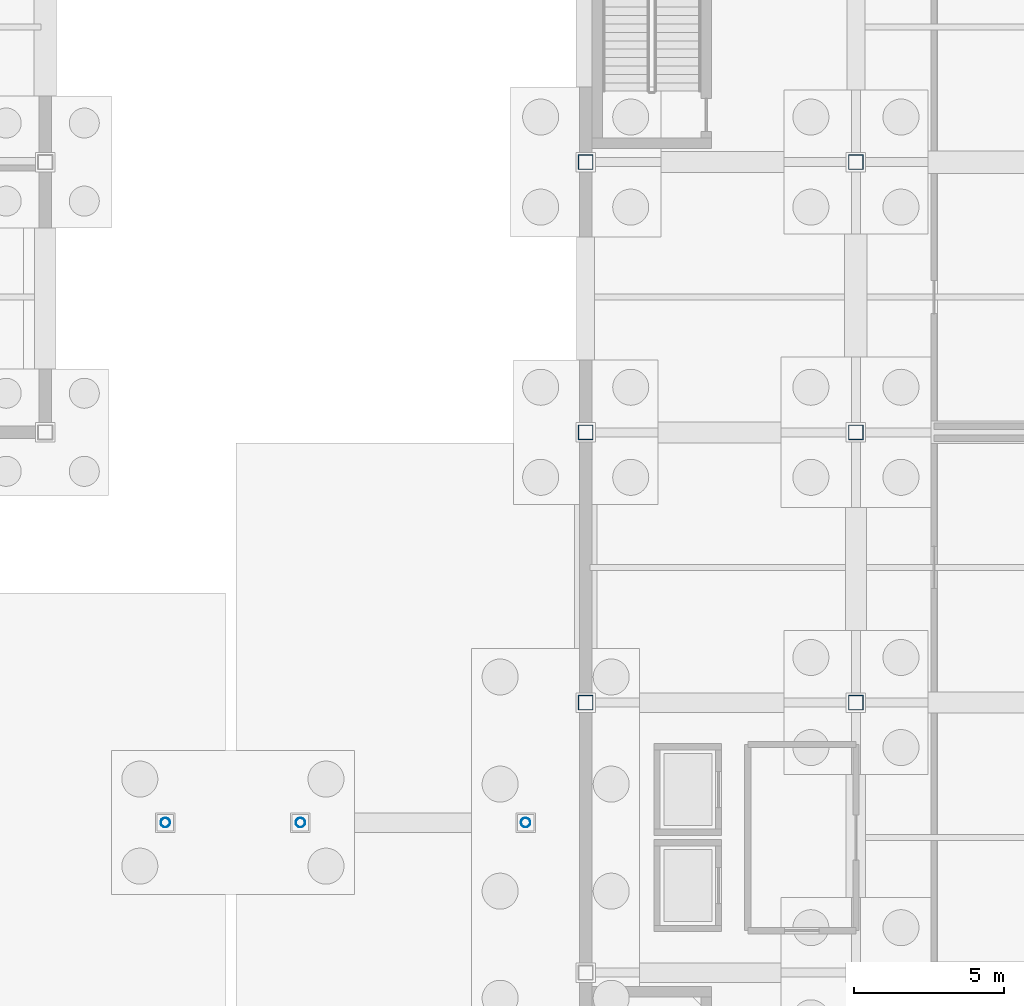
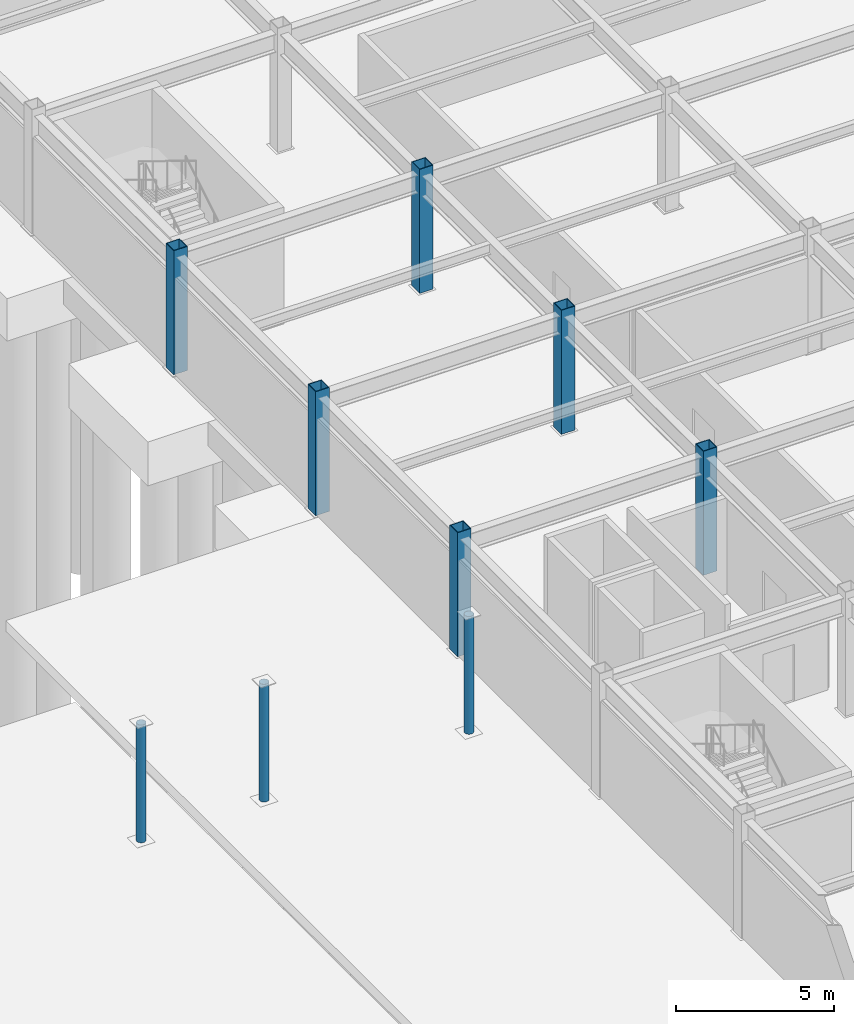
# One storey, part 38 of 74: 9 columns.
"""IFC4 building model written with IfcOpenShell, lengths in metres."""

from ifc_helpers import new_model, si_unit, direction, frame, origin, origin_2d, place, context, subcontext, project, spatial, hollow_rectangle, hollow_circle, extrude, material, material_profile, profile_set, type_object, element, save


model = new_model("IFC4")

# Units and contexts
model_context = context("Model", 3, precision=1e-05, world=origin(), true_north=direction((0.0, 1.0)))
body_context = subcontext(model_context, "Body", "Model", "MODEL_VIEW")
ifc_project = project(units=[si_unit("LENGTHUNIT", "METRE"), si_unit("AREAUNIT", "SQUARE_METRE"), si_unit("VOLUMEUNIT", "CUBIC_METRE"), si_unit("PLANEANGLEUNIT", "RADIAN"), si_unit("MASSUNIT", "GRAM", prefix="KILO")], contexts=[model_context])

# Site, building, storey
site_placement = place(None, origin())
site = spatial("IfcSite", under=ifc_project, at=site_placement, CompositionType="ELEMENT")
building_placement = place(site_placement, origin())
building = spatial("IfcBuilding", under=site, at=building_placement, Name="Suzunagisa Mobility Hub", CompositionType="ELEMENT")
storey_placement = place(building_placement, frame((0.0, 0.0, -4.800048828125)))
storey = spatial("IfcBuildingStorey", under=building, at=storey_placement, Name="B1", CompositionType="ELEMENT", Elevation=-4.800048828125)

# Columns
ifc_material = material(Name="Steel SN490B", Category="steel")
ifc_material_profile_1 = material_profile(ifc_material, hollow_circle(Radius=0.1591796875, WallThickness=0.01025390625, at=origin_2d()), Name="CHS-318.5x10.3")
ifc_profile_set_1 = profile_set([ifc_material_profile_1], Name="Steel SN490B")
column_type_1 = type_object("IfcColumnType", Name="Steel Column CL-09 CHS-318.5x10.3", PredefinedType="COLUMN", material=ifc_profile_set_1)
for number, where, z_axis, x_axis, name in (
    (1, (130.0, 67.0, 0.0), (0.0, 0.0, 1.0), (1.0, 0.0, 0.0), "B1 Column 238"),
    (2, (134.5, 67.0, 0.0), (0.0, 0.0, 1.0), (1.0, 0.0, 0.0), "B1 Column 241"),
    (3, (142.0, 67.0, 0.0), (0.0, 0.0, 1.0), (1.0, 0.0, 0.0), "B1 Column 250"),
):
    element("IfcColumn", number, at=place(storey_placement, frame(where, z_axis=z_axis, x_axis=x_axis)), inside=storey, type_object=column_type_1, Name=name, PredefinedType="COLUMN", context=body_context, shape_type="SweptSolid", body=[
        extrude(hollow_circle(Radius=0.1591796875, WallThickness=0.01025390625, at=origin_2d()), origin(), (0.0, 0.0, 1.0), 4.554931640625),
    ])
ifc_material_profile_2 = material_profile(ifc_material, hollow_rectangle(XDim=0.5, YDim=0.5, WallThickness=0.02490234375, at=origin_2d()), Name="BCR-500x500x25")
ifc_profile_set_2 = profile_set([ifc_material_profile_2], Name="Steel SN490B")
column_type_2 = type_object("IfcColumnType", Name="Steel Column CL-11 BCR-500x500x25", PredefinedType="COLUMN", material=ifc_profile_set_2)
for number, where, z_axis, x_axis, name in (
    (4, (144.0, 71.0, 0.0), (0.0, 0.0, 1.0), (1.0, 0.0, 0.0), "B1 Column 259"),
    (5, (144.0, 80.0, 0.0), (0.0, 0.0, 1.0), (1.0, 0.0, 0.0), "B1 Column 260"),
    (6, (144.0, 89.0, 0.0), (0.0, 0.0, 1.0), (1.0, 0.0, 0.0), "B1 Column 261"),
    (7, (153.0, 71.0, 0.0), (0.0, 0.0, 1.0), (1.0, 0.0, 0.0), "B1 Column 272"),
    (8, (153.0, 80.0, 0.0), (0.0, 0.0, 1.0), (1.0, 0.0, 0.0), "B1 Column 273"),
    (9, (153.0, 89.0, 0.0), (0.0, 0.0, 1.0), (1.0, 0.0, 0.0), "B1 Column 274"),
):
    element("IfcColumn", number, at=place(storey_placement, frame(where, z_axis=z_axis, x_axis=x_axis)), inside=storey, type_object=column_type_2, Name=name, PredefinedType="COLUMN", context=body_context, shape_type="SweptSolid", body=[
        extrude(hollow_rectangle(XDim=0.5, YDim=0.5, WallThickness=0.02490234375, at=origin_2d()), origin(), (0.0, 0.0, 1.0), 4.800048828125),
    ])

save(model, "model.ifc")
